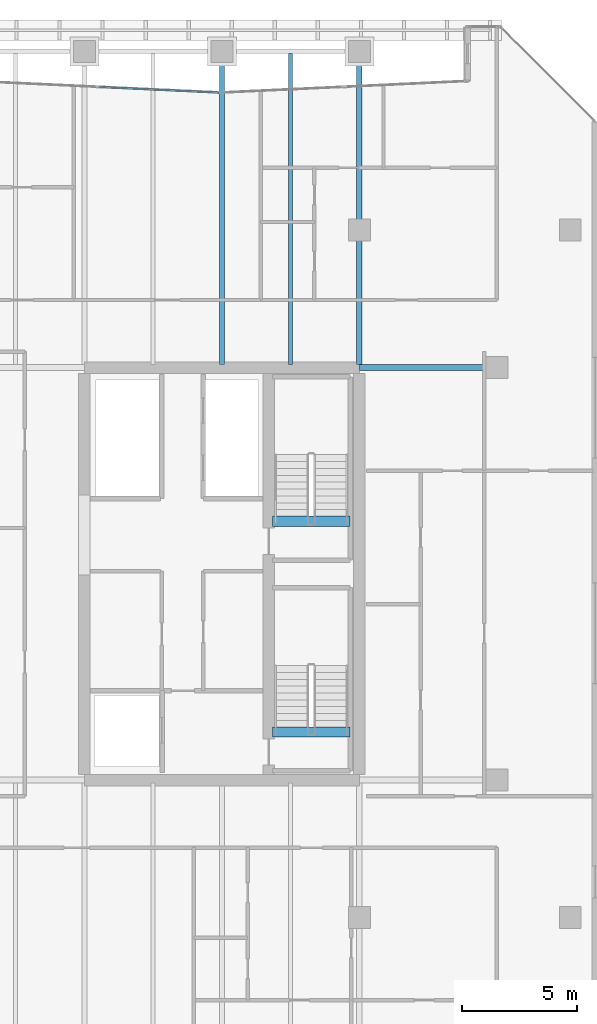
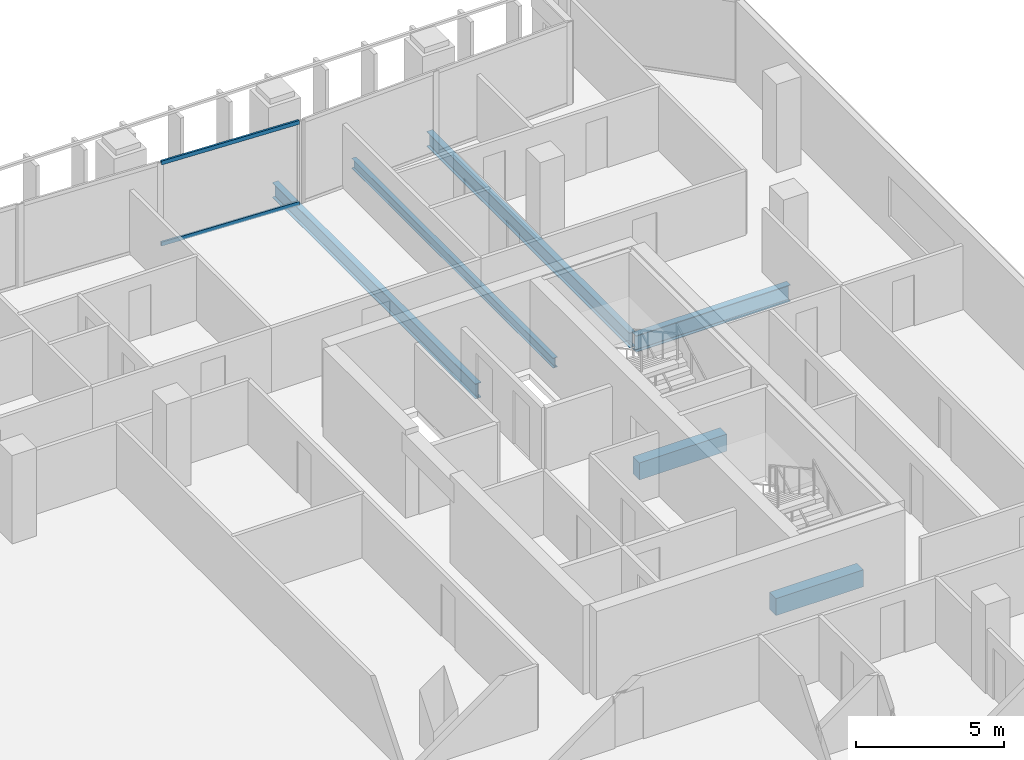
# One storey, part 23 of 39: 6 beams, 2 members, 1 element without a shape of its own.
"""IFC4 building model written with IfcOpenShell, lengths in metres."""

import ifcopenshell
import ifcopenshell.guid

model = None  # the IFC model being written
_history = None  # IfcOwnerHistory: only IFC2X3 demands one
_inside = {}  # id of a spatial element -> (the spatial element, [elements in it])
_under = {}  # id of a project, library or spatial element -> (it, [spatial elements below it])
_declared = {}  # id of a project -> (the project, [libraries it declares])
_typed = {}  # id of a type object -> (the type object, [elements of that type])
_made_of = {}  # id of a material, layer set ... -> (it, [elements and type objects made of it])


def new_model(schema):
    """Start an empty IFC model of exactly this schema.

    Asked for "IFC4X3", IfcOpenShell would pick the latest addendum, in which some entities
    have other attributes; the version numbers below select the first issue.
    IFC2X3 requires an IfcOwnerHistory on every rooted entity: one is made here for all.
    """
    global model, _history
    if schema == "IFC4X3":
        model = ifcopenshell.file(schema_version=(4, 3, 0, 0))
    else:
        model = ifcopenshell.file(schema=schema)
    _inside.clear()
    _under.clear()
    _declared.clear()
    _typed.clear()
    _made_of.clear()
    _history = None
    if model.schema == "IFC2X3":
        org = make("IfcOrganization", Name="unknown")
        user = make(
            "IfcPersonAndOrganization",
            ThePerson=make("IfcPerson", FamilyName="unknown"),
            TheOrganization=org,
        )
        app = make(
            "IfcApplication",
            ApplicationDeveloper=org,
            Version="unknown",
            ApplicationFullName="unknown",
            ApplicationIdentifier="unknown",
        )
        _history = make(
            "IfcOwnerHistory",
            OwningUser=user,
            OwningApplication=app,
            ChangeAction="ADDED",
            CreationDate=0,
        )
    return model


def make(cls, **values):
    """One entity of the class cls with the attributes given. An attribute that is None is left unset."""
    return model.create_entity(
        cls, **{name: value for name, value in values.items() if value is not None}
    )


def rooted(cls, **values):
    """An entity with a GlobalId (a new one), such as an element, a storey or a relation."""
    return make(cls, GlobalId=ifcopenshell.guid.new(), OwnerHistory=_history, **values)


def si_unit(unit_type, name, prefix=None):
    """IfcSIUnit, for example si_unit("LENGTHUNIT", "METRE", prefix="MILLI")."""
    return make("IfcSIUnit", UnitType=unit_type, Prefix=prefix, Name=name)


def assignment(units):
    """IfcUnitAssignment: the units of a project."""
    return None if units is None else make("IfcUnitAssignment", Units=units)


def point(xyz):
    """IfcCartesianPoint."""
    return None if xyz is None else make("IfcCartesianPoint", Coordinates=xyz)


def direction(xyz):
    """IfcDirection."""
    return None if xyz is None else make("IfcDirection", DirectionRatios=xyz)


def frame(location, z_axis=None, x_axis=None):
    """IfcAxis2Placement3D, a coordinate frame: its origin and axes. An axis left out is left unset."""
    return make(
        "IfcAxis2Placement3D",
        Location=point(location),
        Axis=direction(z_axis),
        RefDirection=direction(x_axis),
    )


def frame_2d(location, x_axis=None):
    """IfcAxis2Placement2D, a coordinate frame in the plane: its origin and x axis."""
    return make(
        "IfcAxis2Placement2D", Location=point(location), RefDirection=direction(x_axis)
    )


def origin():
    """The frame at (0, 0, 0) with its axes left unset."""
    return frame((0.0, 0.0, 0.0))


def origin_2d():
    """The frame at (0, 0) in the plane with its x axis left unset."""
    return frame_2d((0.0, 0.0))


def place(relative_to, where):
    """IfcLocalPlacement: puts the frame where relative to a parent placement (None: the world)."""
    return make(
        "IfcLocalPlacement", PlacementRelTo=relative_to, RelativePlacement=where
    )


def context(
    kind, dimensions, precision=None, world=None, true_north=None, identifier=None
):
    """IfcGeometricRepresentationContext, for example the 3D "Model" context."""
    return make(
        "IfcGeometricRepresentationContext",
        ContextIdentifier=identifier,
        ContextType=kind,
        CoordinateSpaceDimension=dimensions,
        Precision=precision,
        WorldCoordinateSystem=world,
        TrueNorth=true_north,
    )


def subcontext(parent, identifier, kind, view, scale=None):
    """IfcGeometricRepresentationSubContext, for example "Body" below "Model"."""
    return make(
        "IfcGeometricRepresentationSubContext",
        ContextIdentifier=identifier,
        ContextType=kind,
        ParentContext=parent,
        TargetScale=scale,
        TargetView=view,
    )


def project(units=None, contexts=None):
    """IfcProject with its units and contexts."""
    return rooted(
        "IfcProject",
        Name="project",
        RepresentationContexts=contexts,
        UnitsInContext=assignment(units),
    )


def spatial(cls, under=None, at=None, **own):
    """A site, building, storey or space (cls), placed at a placement, below another one or the project."""
    s = rooted(cls, ObjectPlacement=at, **own)
    if under is not None:
        _under.setdefault(under.id(), (under, []))[1].append(s)
    return s


def profile(cls, at=None, kind="AREA", **sizes):
    """A parametric profile (cls). Its sizes go by their IFC names, for example OverallWidth=200.0."""
    return make(cls, ProfileType=kind, Position=at, **sizes)


def rectangle(**sizes):
    """IfcRectangleProfileDef."""
    return profile("IfcRectangleProfileDef", **sizes)


def hollow_rectangle(**sizes):
    """IfcRectangleHollowProfileDef."""
    return profile("IfcRectangleHollowProfileDef", **sizes)


def i_section(**sizes):
    """IfcIShapeProfileDef."""
    return profile("IfcIShapeProfileDef", **sizes)


def extrude(swept, where, along, depth):
    """IfcExtrudedAreaSolid: the profile swept, set in the frame where, extruded along a direction by depth."""
    return make(
        "IfcExtrudedAreaSolid",
        SweptArea=swept,
        Position=where,
        ExtrudedDirection=direction(along),
        Depth=depth,
    )


def shape(context_of_items, identifier, shape_type, items):
    """IfcShapeRepresentation: the items that make up one representation, for example the "Body"."""
    return make(
        "IfcShapeRepresentation",
        ContextOfItems=context_of_items,
        RepresentationIdentifier=identifier,
        RepresentationType=shape_type,
        Items=items,
    )


def material(Name=None, Category=None):
    """IfcMaterial."""
    return make("IfcMaterial", Name=Name, Category=Category)


def layer(
    of_material, thickness, ventilated=None, Name=None, Category=None, Priority=None
):
    """IfcMaterialLayer: one layer of a wall or slab, of a material (None: an air gap)."""
    return make(
        "IfcMaterialLayer",
        Material=of_material,
        LayerThickness=thickness,
        IsVentilated=ventilated,
        Name=Name,
        Category=Category,
        Priority=Priority,
    )


def layer_set(layers, Name=None):
    """IfcMaterialLayerSet."""
    return make("IfcMaterialLayerSet", MaterialLayers=layers, LayerSetName=Name)


def material_profile(
    of_material, cross_section, Name=None, Category=None, Priority=None
):
    """IfcMaterialProfile: a cross section and its material."""
    return make(
        "IfcMaterialProfile",
        Name=Name,
        Material=of_material,
        Profile=cross_section,
        Priority=Priority,
        Category=Category,
    )


def profile_set(profiles, Name=None, composite=None):
    """IfcMaterialProfileSet."""
    return make(
        "IfcMaterialProfileSet",
        Name=Name,
        MaterialProfiles=profiles,
        CompositeProfile=composite,
    )


def made_of(thing, what):
    """Note that an element or type object is made of a material, layer set ...; save() writes the relation."""
    if what is not None:
        _made_of.setdefault(what.id(), (what, []))[1].append(thing)
    return thing


def type_object(cls, material=None, **own):
    """A type object (cls), such as IfcWallType, which elements share."""
    return made_of(rooted(cls, **own), material)


def element(
    cls,
    number,
    at=None,
    inside=None,
    cuts=None,
    type_object=None,
    material=None,
    context=None,
    identifier="Body",
    shape_type=None,
    held_by="IfcProductDefinitionShape",
    body=None,
    shapes=None,
    **own,
):
    """One element of the class cls, such as IfcWall. Its Tag is "e" and its number.

    at: its placement. inside: the storey or other place that contains it. cuts: it is an
    opening in that element (IfcRelVoidsElement). A single representation is given by context,
    identifier, shape_type and body (its items); several are given by shapes. held_by: the class
    of the entity that holds the representations. save() writes the other relations.
    """
    e = rooted(cls, Tag="e%d" % number, ObjectPlacement=at, **own)
    if body is not None:
        shapes = [shape(context, identifier, shape_type, body)]
    if shapes is not None:
        e.Representation = make(held_by, Representations=shapes)
    if inside is not None:
        _inside.setdefault(inside.id(), (inside, []))[1].append(e)
    if cuts is not None:
        rooted(
            "IfcRelVoidsElement", RelatingBuildingElement=cuts, RelatedOpeningElement=e
        )
    if type_object is not None:
        _typed.setdefault(type_object.id(), (type_object, []))[1].append(e)
    return made_of(e, material)


def aggregate(whole, parts):
    """IfcRelAggregates: a whole, such as a stair, and the parts it consists of."""
    return rooted("IfcRelAggregates", RelatingObject=whole, RelatedObjects=parts)


def save(model, path):
    """Write the relations noted so far, then the file.

    IfcRelAggregates (storeys below a building ...), IfcRelContainedInSpatialStructure (elements
    in a storey), IfcRelDefinesByType, IfcRelAssociatesMaterial and IfcRelDeclares: one each for
    every whole, place, type object, material and project.
    """
    for whole, parts in _under.values():
        aggregate(whole, parts)
    for where, things in _inside.values():
        rooted(
            "IfcRelContainedInSpatialStructure",
            RelatedElements=things,
            RelatingStructure=where,
        )
    for kind, things in _typed.values():
        rooted("IfcRelDefinesByType", RelatedObjects=things, RelatingType=kind)
    for what, things in _made_of.values():
        rooted("IfcRelAssociatesMaterial", RelatedObjects=things, RelatingMaterial=what)
    for by, libraries in _declared.values():
        rooted("IfcRelDeclares", RelatingContext=by, RelatedDefinitions=libraries)
    model.write(path)


model = new_model("IFC4")

# Units and contexts
model_context = context("Model", 3, precision=1e-05, world=origin(), true_north=direction((0.0, 1.0)))
body_context = subcontext(model_context, "Body", "Model", "MODEL_VIEW")
ifc_project = project(units=[si_unit("LENGTHUNIT", "METRE"), si_unit("AREAUNIT", "SQUARE_METRE"), si_unit("VOLUMEUNIT", "CUBIC_METRE"), si_unit("PLANEANGLEUNIT", "RADIAN"), si_unit("MASSUNIT", "GRAM", prefix="KILO")], contexts=[model_context])

# Site, building, storey
site_placement = place(None, origin())
site = spatial("IfcSite", under=ifc_project, at=site_placement, CompositionType="ELEMENT")
building_placement = place(site_placement, origin())
building = spatial("IfcBuilding", under=site, at=building_placement, Name="Tanjung Sevakor Pilgrim Tower", CompositionType="ELEMENT")
storey_placement = place(building_placement, frame((0.0, 0.0, 112.199951171875)))
storey = spatial("IfcBuildingStorey", under=building, at=storey_placement, Name="L31", CompositionType="ELEMENT", Elevation=112.199951171875)

# Beams
ifc_material_1 = material(Name="Steel S355J2", Category="steel")
ifc_material_profile_1 = material_profile(ifc_material_1, i_section(OverallWidth=0.25439453125, OverallDepth=0.6875, WebThickness=0.01318359375, FlangeThickness=0.02099609375, FilletRadius=0.01513671875, at=origin_2d()))
ifc_profile_set_1 = profile_set([ifc_material_profile_1], Name="Steel S355J2")
beam_type_1 = type_object("IfcBeamType", Name="BM-B-G2-UB_686x254x152", PredefinedType="BEAM", material=ifc_profile_set_1)
beam_1_placement = place(storey_placement, frame((90.0, 42.60009765625, -0.563720703125), z_axis=(1.0, 0.0, 0.0), x_axis=(0.0, 1.0, 0.0)))
element("IfcBeam", 1, at=beam_1_placement, inside=storey, type_object=beam_type_1, Name="L31 Primary Floor Girder MAIN Y426-09", PredefinedType="BEAM", context=body_context, shape_type="SweptSolid", body=[
    extrude(i_section(OverallWidth=0.25439453125, OverallDepth=0.6875, WebThickness=0.01318359375, FlangeThickness=0.02099609375, FilletRadius=0.01513671875, at=origin_2d()), origin(), (0.0, 0.0, 1.0), 6.0),
])
ifc_material_2 = material(Name="Steel S355J2", Category="steel")
ifc_material_profile_2 = material_profile(ifc_material_2, i_section(OverallWidth=0.230224609375, OverallDepth=0.6171875, WebThickness=0.01318359375, FlangeThickness=0.022216796875, FilletRadius=0.0126953125, at=origin_2d()))
ifc_profile_set_2 = profile_set([ifc_material_profile_2], Name="Steel S355J2")
beam_type_2 = type_object("IfcBeamType", Name="BM-B-G3-UB_610x229x140", PredefinedType="BEAM", material=ifc_profile_set_2)
for number, where, z_axis, x_axis, name in (
    (2, (84.0, 42.727294921875, -0.528564453125), (0.0, 1.0, 0.0), (-1.0, 0.0, 0.0), "L31 MAIN Girder 042"),
    (3, (90.0, 42.727294921875, -0.528564453125), (0.0, 1.0, 0.0), (-1.0, 0.0, 0.0), "L31 MAIN Girder 046"),
):
    element("IfcBeam", number, at=place(storey_placement, frame(where, z_axis=z_axis, x_axis=x_axis)), inside=storey, type_object=beam_type_2, Name=name, PredefinedType="BEAM", context=body_context, shape_type="SweptSolid", body=[
        extrude(i_section(OverallWidth=0.230224609375, OverallDepth=0.6171875, WebThickness=0.01318359375, FlangeThickness=0.022216796875, FilletRadius=0.0126953125, at=origin_2d()), origin(), (0.0, 0.0, 1.0), 13.672607421875),
    ])
ifc_material_3 = material(Name="Steel S355J2", Category="steel")
ifc_material_profile_3 = material_profile(ifc_material_3, i_section(OverallWidth=0.1787109375, OverallDepth=0.409423828125, WebThickness=0.0087890625, FlangeThickness=0.014404296875, FilletRadius=0.01025390625, at=origin_2d()))
ifc_profile_set_3 = profile_set([ifc_material_profile_3], Name="Steel S355J2")
beam_type_3 = type_object("IfcBeamType", Name="BM-B-J3-UB_406x178x67", PredefinedType="JOIST", material=ifc_profile_set_3)
beam_2_placement = place(storey_placement, frame((87.0, 42.727294921875, -0.424560546875), z_axis=(0.0, 1.0, 0.0), x_axis=(-1.0, 0.0, 0.0)))
element("IfcBeam", 4, at=beam_2_placement, inside=storey, type_object=beam_type_3, Name="L31 MAIN Joist 044", PredefinedType="JOIST", context=body_context, shape_type="SweptSolid", body=[
    extrude(i_section(OverallWidth=0.1787109375, OverallDepth=0.409423828125, WebThickness=0.0087890625, FlangeThickness=0.014404296875, FilletRadius=0.01025390625, at=origin_2d()), origin(), (0.0, 0.0, 1.0), 13.57275390625),
])
ifc_material_4 = material(Name="Concrete C60/75", Category="concrete")
ifc_material_profile_4 = material_profile(ifc_material_4, rectangle(XDim=0.449951171875, YDim=0.699951171875, at=origin_2d()))
ifc_profile_set_4 = profile_set([ifc_material_profile_4], Name="Concrete C60/75")
beam_type_4 = type_object("IfcBeamType", Name="BM-B-LN3-RC-BM_450x700", PredefinedType="LINTEL", material=ifc_profile_set_4)
for number, where, z_axis, x_axis, name in (
    (5, (86.199951171875, 26.699951171875, -0.349853515625), (1.0, 0.0, 0.0), (0.0, 1.0, 0.0), "L31 TS-E1 Stair Threshold Beam"),
    (6, (86.199951171875, 35.89990234375, -0.349853515625), (1.0, 0.0, 0.0), (0.0, 1.0, 0.0), "L31 TS-E2 Stair Threshold Beam"),
):
    element("IfcBeam", number, at=place(storey_placement, frame(where, z_axis=z_axis, x_axis=x_axis)), inside=storey, type_object=beam_type_4, Name=name, PredefinedType="LINTEL", context=body_context, shape_type="SweptSolid", body=[
        extrude(rectangle(XDim=0.449951171875, YDim=0.699951171875, at=origin_2d()), origin(), (0.0, 0.0, 1.0), 3.400146484375),
    ])

# Curtain wall, members
ifc_material_5 = material(Name="Aluminium 6063-T6 and Low-E Glass", Category="aluminium")
ifc_layer = layer(ifc_material_5, 0.199951171875)
ifc_layer_set = layer_set([ifc_layer], Name="CW-SYS-PRAY")
curtain_wall_type = type_object("IfcCurtainWallType", Name="CW-SYS-PRAY", PredefinedType="NOTDEFINED", material=ifc_layer_set)
curtain_wall_placement = place(storey_placement, origin())
curtain_wall = element("IfcCurtainWall", 7, at=curtain_wall_placement, inside=storey, type_object=curtain_wall_type, Name="L31 Curtain Wall CW-PRY-L31-21", PredefinedType="NOTDEFINED")
ifc_material_6 = material(Name="Aluminium 6063-T6", Category="aluminium")
ifc_material_profile_5 = material_profile(ifc_material_6, hollow_rectangle(XDim=0.074951171875, YDim=0.159912109375, WallThickness=0.00439453125, at=origin_2d()))
ifc_profile_set_5 = profile_set([ifc_material_profile_5], Name="Aluminium 6063-T6")
member_type = type_object("IfcMemberType", Name="TYPE-CWT-2", PredefinedType="USERDEFINED", material=ifc_profile_set_5)
member_1_placement = place(storey_placement, frame((83.875, 54.598388671875, 0.03759765625), z_axis=(-0.998899651853, 0.046898672977, 0.0), x_axis=(-0.046898672977, -0.998899651853, 0.0)))
member_1 = element("IfcMember", 8, at=member_1_placement, type_object=member_type, Name="CW-PRY transom 1.1", ObjectType="TRANSOM", PredefinedType="USERDEFINED", context=body_context, shape_type="SweptSolid", body=[
    extrude(hollow_rectangle(XDim=0.074951171875, YDim=0.159912109375, WallThickness=0.00439453125, at=origin_2d()), origin(), (0.0, 0.0, 1.0), 5.221435546875),
])
member_2_placement = place(storey_placement, frame((83.875, 54.598388671875, 3.37255859375), z_axis=(-0.998899651853, 0.046898672977, 0.0), x_axis=(-0.046898672977, -0.998899651853, 0.0)))
member_2 = element("IfcMember", 9, at=member_2_placement, type_object=member_type, Name="CW-PRY transom 1.2", ObjectType="TRANSOM", PredefinedType="USERDEFINED", context=body_context, shape_type="SweptSolid", body=[
    extrude(hollow_rectangle(XDim=0.074951171875, YDim=0.159912109375, WallThickness=0.00439453125, at=origin_2d()), origin(), (0.0, 0.0, 1.0), 5.221435546875),
])
aggregate(curtain_wall, [member_1, member_2])

save(model, "model.ifc")
